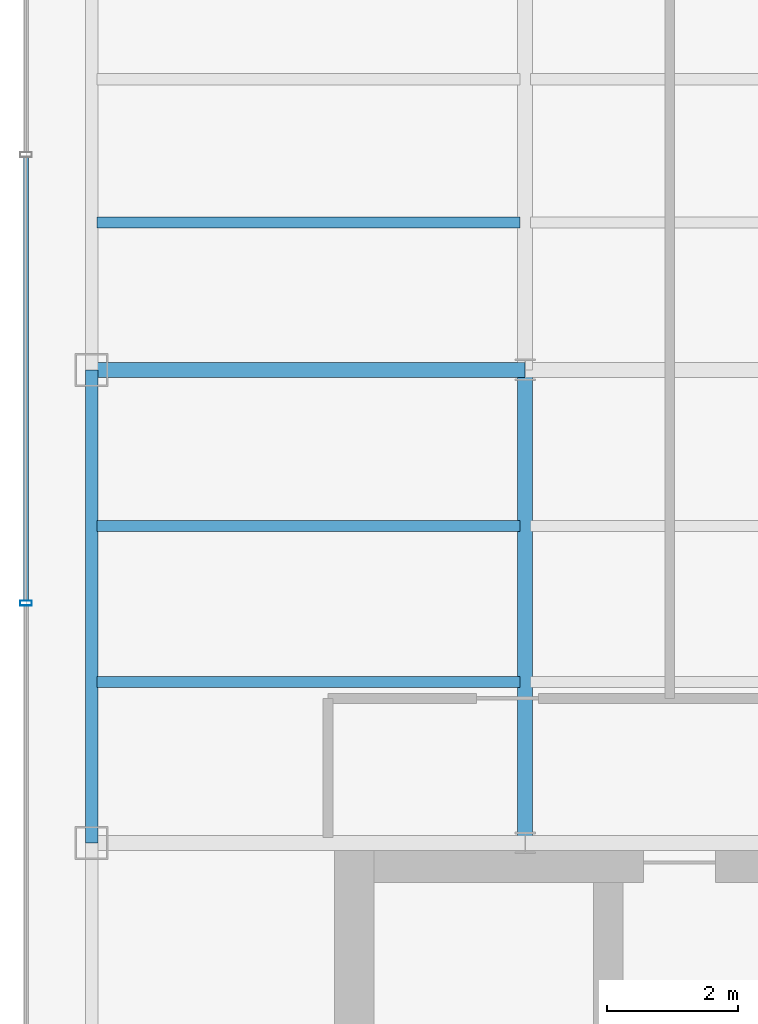
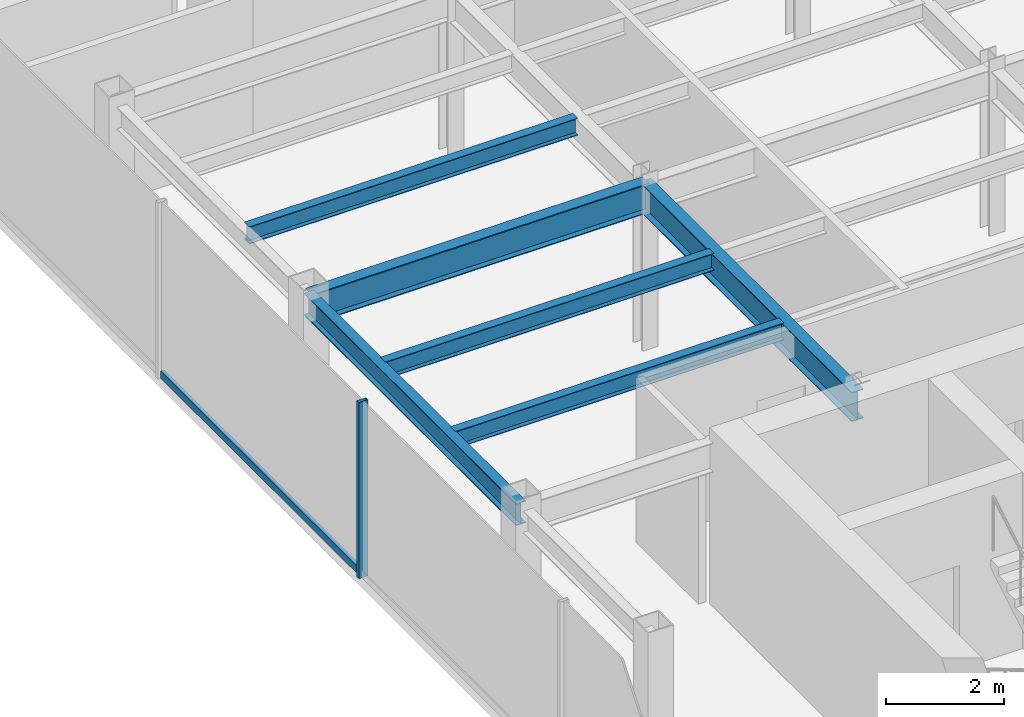
# One storey, part 5 of 22: 6 beams, 2 members, 1 element without a shape of its own.
"""IFC4 building model written with IfcOpenShell, lengths in metres."""

from ifc_helpers import new_model, si_unit, derived_unit, direction, frame, origin, origin_2d, place, context, subcontext, project, spatial, hollow_rectangle, i_section, extrude, source, transform, mapped, material, material_profile, profile_set, type_object, element, aggregate, save


model = new_model("IFC4")

# Units and contexts
model_context = context("Model", 3, precision=1e-05, world=origin(), true_north=direction((0.0, 1.0)))
body_context = subcontext(model_context, "Body", "Model", "MODEL_VIEW")
ifc_project = project(units=[si_unit("LENGTHUNIT", "METRE"), si_unit("AREAUNIT", "SQUARE_METRE"), si_unit("VOLUMEUNIT", "CUBIC_METRE"), si_unit("PLANEANGLEUNIT", "RADIAN"), si_unit("MASSUNIT", "GRAM", prefix="KILO"), derived_unit("THERMALTRANSMITTANCEUNIT", [(si_unit("POWERUNIT", "WATT"), 1), (si_unit("LENGTHUNIT", "METRE"), -2), (si_unit("THERMODYNAMICTEMPERATUREUNIT", "KELVIN"), -1)])], contexts=[model_context])

# Site, building, storey
site_placement = place(None, origin())
site = spatial("IfcSite", under=ifc_project, at=site_placement, CompositionType="ELEMENT")
building_placement = place(site_placement, origin())
building = spatial("IfcBuilding", under=site, at=building_placement, Name="Skarnbrae Concourse Arena and Tower", CompositionType="ELEMENT")
storey_placement = place(building_placement, frame((0.0, 0.0, 225.10009765625)))
storey = spatial("IfcBuildingStorey", under=building, at=storey_placement, Name="L58", CompositionType="ELEMENT", Elevation=225.10009765625)

# Beams
ifc_material_1 = material(Name="Steel CSA G40.21 350W", Category="steel")
ifc_material_profile_1 = material_profile(ifc_material_1, i_section(OverallWidth=0.22802734375, OverallDepth=0.60791015625, WebThickness=0.01123046875, FlangeThickness=0.017333984375, at=origin_2d()), Name="W610X113")
ifc_profile_set_1 = profile_set([ifc_material_profile_1], Name="Steel CSA G40.21 350W")
beam_type_1 = type_object("IfcBeamType", Name="BM-GIRD-W610X113", PredefinedType="BEAM", material=ifc_profile_set_1)
shared_shape_1 = source(origin(), body_context, "Body", "SweptSolid", [
    extrude(i_section(OverallWidth=0.22802734375, OverallDepth=0.60791015625, WebThickness=0.01123046875, FlangeThickness=0.017333984375, at=origin_2d()), origin(), (0.0, 0.0, 1.0), 6.60009765625),
])
beam_1_placement = place(storey_placement, frame((1.0, 21.199951171875, 3.095947265625), z_axis=(1.0, 0.0, 0.0), x_axis=(0.0, 1.0, 0.0)))
element("IfcBeam", 1, at=beam_1_placement, inside=storey, type_object=beam_type_1, Name="L58 Primary E-W girder Y21.2-1", PredefinedType="BEAM", context=body_context, shape_type="MappedRepresentation", body=[
    mapped(shared_shape_1, transform((0.0, 0.0, 0.0))),
])
ifc_material_profile_2 = material_profile(ifc_material_1, i_section(OverallWidth=0.19091796875, OverallDepth=0.4599609375, WebThickness=0.010009765625, FlangeThickness=0.01611328125, at=origin_2d()), Name="W460X82")
ifc_profile_set_2 = profile_set([ifc_material_profile_2], Name="Steel CSA G40.21 350W")
beam_type_2 = type_object("IfcBeamType", Name="BM-SPAN-W460X82", PredefinedType="SPANDREL", material=ifc_profile_set_2)
shared_shape_2 = source(origin(), body_context, "Body", "SweptSolid", [
    extrude(i_section(OverallWidth=0.19091796875, OverallDepth=0.4599609375, WebThickness=0.010009765625, FlangeThickness=0.01611328125, at=origin_2d()), origin(), (0.0, 0.0, 1.0), 7.199951171875),
])
beam_2_placement = place(storey_placement, frame((1.0, 14.0, 3.169921875), z_axis=(0.0, 1.0, 0.0), x_axis=(-1.0, 0.0, 0.0)))
element("IfcBeam", 2, at=beam_2_placement, inside=storey, type_object=beam_type_2, Name="L58 Perimeter spandrel X1.0-2", PredefinedType="SPANDREL", context=body_context, shape_type="MappedRepresentation", body=[
    mapped(shared_shape_2, transform((0.0, 0.0, 0.0))),
])
shared_shape_3 = source(origin(), body_context, "Body", "SweptSolid", [
    extrude(i_section(OverallWidth=0.22802734375, OverallDepth=0.60791015625, WebThickness=0.01123046875, FlangeThickness=0.017333984375, at=origin_2d()), origin(), (0.0, 0.0, 1.0), 7.199951171875),
])
beam_3_placement = place(storey_placement, frame((7.60009765625, 14.0, 3.095947265625), z_axis=(0.0, 1.0, 0.0), x_axis=(-1.0, 0.0, 0.0)))
element("IfcBeam", 3, at=beam_3_placement, inside=storey, type_object=beam_type_1, Name="L58 Primary N-S girder X7.6-1", PredefinedType="BEAM", context=body_context, shape_type="MappedRepresentation", body=[
    mapped(shared_shape_3, transform((0.0, 0.0, 0.0))),
])
ifc_material_profile_3 = material_profile(ifc_material_1, i_section(OverallWidth=0.1708984375, OverallDepth=0.35498046875, WebThickness=0.007080078125, FlangeThickness=0.01171875, at=origin_2d()), Name="W360X51")
ifc_profile_set_3 = profile_set([ifc_material_profile_3], Name="Steel CSA G40.21 350W")
beam_type_3 = type_object("IfcBeamType", Name="BM-JOIST-W360X51", PredefinedType="JOIST", material=ifc_profile_set_3)
shared_shape_4 = source(origin(), body_context, "Body", "SweptSolid", [
    extrude(i_section(OverallWidth=0.1708984375, OverallDepth=0.35498046875, WebThickness=0.007080078125, FlangeThickness=0.01171875, at=origin_2d()), origin(), (0.0, 0.0, 1.0), 6.43994140625),
])
for number, where, z_axis, x_axis, name in (
    (4, (1.080078125, 16.447998046875, 3.222412109375), (1.0, 0.0, 0.0), (0.0, 1.0, 0.0), "L58 Secondary floor joist 1.1.1"),
    (5, (1.080078125, 18.823974609375, 3.222412109375), (1.0, 0.0, 0.0), (0.0, 1.0, 0.0), "L58 Secondary floor joist 1.2.1"),
    (6, (1.080078125, 23.444091796875, 3.222412109375), (1.0, 0.0, 0.0), (0.0, 1.0, 0.0), "L58 Secondary floor joist 2.1.1"),
):
    element("IfcBeam", number, at=place(storey_placement, frame(where, z_axis=z_axis, x_axis=x_axis)), inside=storey, type_object=beam_type_3, Name=name, PredefinedType="JOIST", context=body_context, shape_type="MappedRepresentation", body=[
        mapped(shared_shape_4, transform((0.0, 0.0, 0.0))),
    ])

# Curtain wall, members
ifc_material_2 = material(Name="Bronze anodised aluminium 6063-T6", Category="aluminium")
curtain_wall_type = type_object("IfcCurtainWallType", Name="CW-SYS-05-HIGHZONE", PredefinedType="USERDEFINED", material=ifc_material_2)
curtain_wall_placement = place(storey_placement, origin())
curtain_wall = element("IfcCurtainWall", 7, at=curtain_wall_placement, inside=storey, type_object=curtain_wall_type, Name="L58 Unitised curtain wall CW-L58-E18", ObjectType="UNITISED CURTAIN WALL", PredefinedType="USERDEFINED")
ifc_material_profile_4 = material_profile(ifc_material_2, hollow_rectangle(XDim=0.074951171875, YDim=0.179931640625, WallThickness=0.00390625, at=origin_2d()), Name="ALU-MULL-75X180")
ifc_profile_set_4 = profile_set([ifc_material_profile_4], Name="Bronze anodised aluminium 6063-T6")
member_type_1 = type_object("IfcMemberType", Name="CWM-CW-05", PredefinedType="MULLION", material=ifc_profile_set_4)
shared_shape_5 = source(origin(), body_context, "Body", "SweptSolid", [
    extrude(hollow_rectangle(XDim=0.074951171875, YDim=0.179931640625, WallThickness=0.00390625, at=origin_2d()), origin(), (0.0, 0.0, 1.0), 3.64990234375),
])
member_1_placement = place(storey_placement, frame((0.0, 17.64990234375, 0.0), z_axis=(0.0, 0.0, 1.0), x_axis=(0.0, -1.0, 0.0)))
member_1 = element("IfcMember", 8, at=member_1_placement, type_object=member_type_1, Name="CW-L58-E18 Mullion 3", PredefinedType="MULLION", context=body_context, shape_type="MappedRepresentation", body=[
    mapped(shared_shape_5, transform((0.0, 0.0, 0.0))),
])
ifc_material_profile_5 = material_profile(ifc_material_2, hollow_rectangle(XDim=0.074951171875, YDim=0.14990234375, WallThickness=0.00390625, at=origin_2d()), Name="ALU-TRAN-75X150")
ifc_profile_set_5 = profile_set([ifc_material_profile_5], Name="Bronze anodised aluminium 6063-T6")
member_type_2 = type_object("IfcMemberType", Name="CWT-CW-05", PredefinedType="USERDEFINED", material=ifc_profile_set_5)
shared_shape_6 = source(origin(), body_context, "Body", "SweptSolid", [
    extrude(hollow_rectangle(XDim=0.074951171875, YDim=0.14990234375, WallThickness=0.00390625, at=origin_2d()), origin(), (0.0, 0.0, 1.0), 6.75),
])
member_2_placement = place(storey_placement, frame((0.0, 24.4375, 0.074951171875), z_axis=(0.0, -1.0, 0.0), x_axis=(1.0, 0.0, 0.0)))
member_2 = element("IfcMember", 9, at=member_2_placement, type_object=member_type_2, Name="CW-L58-E18 Transom 2", ObjectType="TRANSOM", PredefinedType="USERDEFINED", context=body_context, shape_type="MappedRepresentation", body=[
    mapped(shared_shape_6, transform((0.0, 0.0, 0.0))),
])
aggregate(curtain_wall, [member_1, member_2])

save(model, "model.ifc")
